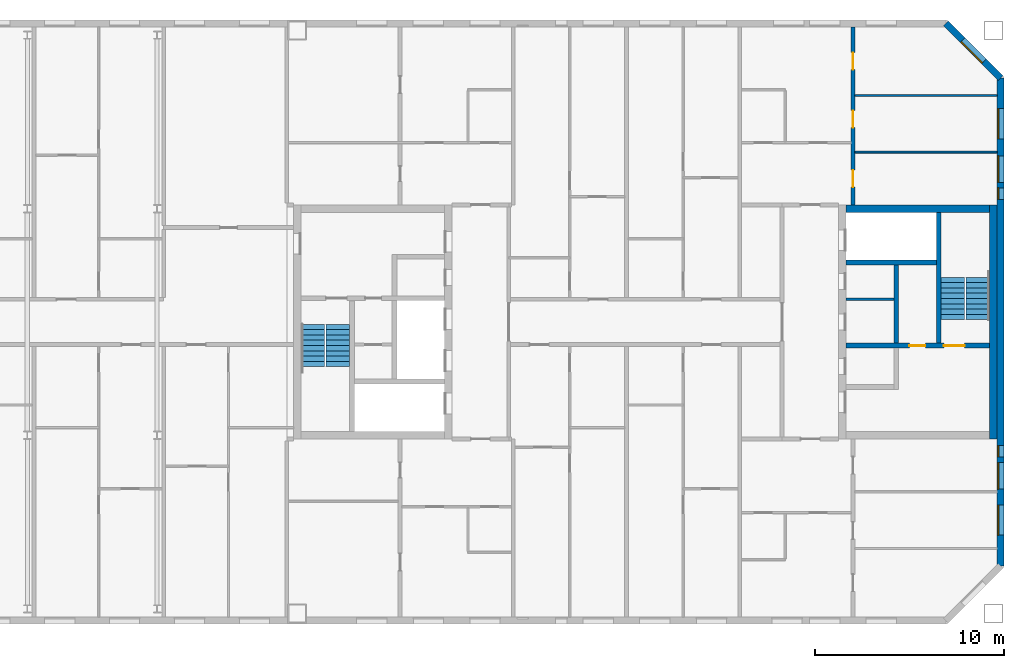
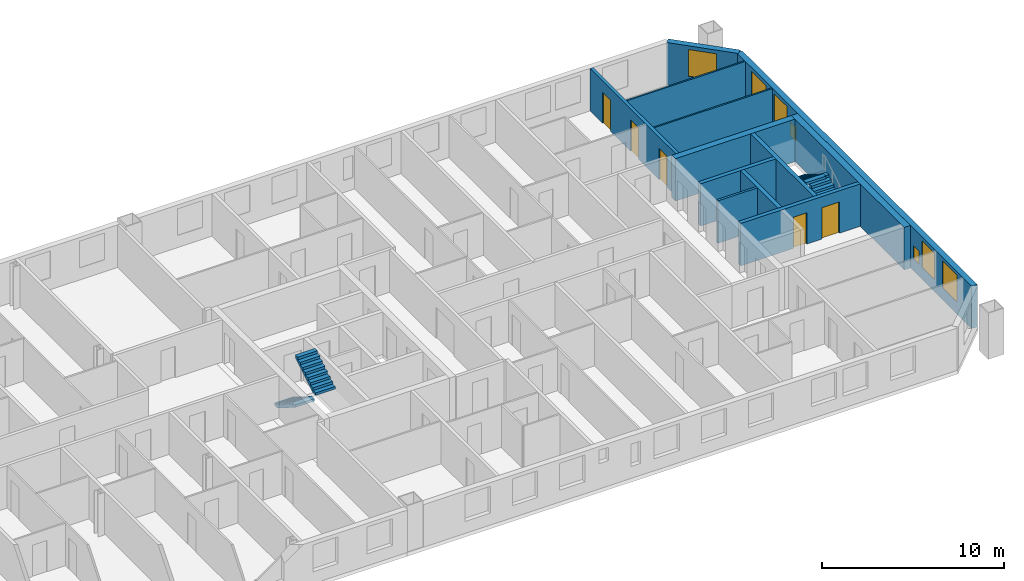
# One storey, part 17 of 19: 12 walls, 7 windows, 5 doors, 4 stair flights, 12 openings, 2 elements without a shape of their own.
"""IFC4 building model written with IfcOpenShell, lengths in metres."""

from ifc_helpers import new_model, si_unit, direction, frame, frame_2d, origin, place, context, subcontext, project, spatial, polyline, rectangle, outline, extrude, material, layer, layer_set, type_object, element, fill, aggregate, save


model = new_model("IFC4")

# Units and contexts
model_context = context("Model", 3, precision=1e-05, world=origin(), true_north=direction((0.0, 1.0)))
body_context = subcontext(model_context, "Body", "Model", "MODEL_VIEW")
ifc_project = project(units=[si_unit("LENGTHUNIT", "METRE"), si_unit("AREAUNIT", "SQUARE_METRE"), si_unit("VOLUMEUNIT", "CUBIC_METRE"), si_unit("PLANEANGLEUNIT", "RADIAN"), si_unit("MASSUNIT", "GRAM", prefix="KILO")], contexts=[model_context])

# Site, building, storey
site_placement = place(None, origin())
site = spatial("IfcSite", under=ifc_project, at=site_placement, CompositionType="ELEMENT")
building_placement = place(site_placement, origin())
building = spatial("IfcBuilding", under=site, at=building_placement, Name="Tuart Gate Housing", CompositionType="ELEMENT")
storey_placement = place(building_placement, frame((0.0, 0.0, 224.5)))
storey = spatial("IfcBuildingStorey", under=building, at=storey_placement, Name="L63", CompositionType="ELEMENT", Elevation=224.5)

# Wall, openings, windows
ifc_material_1 = material(Name="Brick", Category="masonry")
ifc_layer_1 = layer(ifc_material_1, 0.360107421875)
ifc_layer_set_1 = layer_set([ifc_layer_1], Name="Brick pier and spandrel wall 360")
wall_type_1 = type_object("IfcWallType", Name="Brick pier and spandrel wall 360", PredefinedType="STANDARD", material=ifc_layer_set_1)
wall_1_placement = place(storey_placement, frame((168.820068359375, 57.07470703125, 0.0), z_axis=(0.0, 0.0, 1.0), x_axis=(0.0, 1.0, 0.0)))
wall_1 = element("IfcWall", 1, at=wall_1_placement, inside=storey, type_object=wall_type_1, Name="External wall BLK-E L63", PredefinedType="STANDARD", context=body_context, shape_type="SweptSolid", body=[
    extrude(rectangle(XDim=25.850830078125, YDim=0.360107421875, at=frame_2d((12.92529296875, 0.0))), origin(), (0.0, 0.0, 1.0), 2.85009765625),
])
opening_1_placement = place(wall_1_placement, frame((1.62548828125, 0.0, 0.800048828125)))
opening_1 = element("IfcOpeningElement", 2, at=opening_1_placement, cuts=wall_1, Name="Opening W1", PredefinedType="OPENING", context=body_context, shape_type="SweptSolid", body=[
    extrude(rectangle(XDim=1.60009765625, YDim=1.800048828125, at=frame_2d((0.800048828125, 0.89990234375))), frame((0.0, 0.18994140625, 0.0), z_axis=(0.0, -1.0, 0.0), x_axis=(1.0, 0.0, 0.0)), (0.0, 0.0, 1.0), 0.380126953125),
])
opening_2_placement = place(wall_1_placement, frame((4.075439453125, 0.0, 0.800048828125)))
opening_2 = element("IfcOpeningElement", 3, at=opening_2_placement, cuts=wall_1, Name="Opening W1A", PredefinedType="OPENING", context=body_context, shape_type="SweptSolid", body=[
    extrude(rectangle(XDim=1.39990234375, YDim=1.800048828125, at=frame_2d((0.699951171875, 0.89990234375))), frame((0.0, 0.18994140625, 0.0), z_axis=(0.0, -1.0, 0.0), x_axis=(1.0, 0.0, 0.0)), (0.0, 0.0, 1.0), 0.380126953125),
])
opening_3_placement = place(wall_1_placement, frame((19.42529296875, 0.0, 0.800048828125)))
opening_3 = element("IfcOpeningElement", 4, at=opening_3_placement, cuts=wall_1, Name="Opening W1W", PredefinedType="OPENING", context=body_context, shape_type="SweptSolid", body=[
    extrude(rectangle(XDim=0.60009765625, YDim=0.89990234375, at=frame_2d((0.300048828125, 0.449951171875))), frame((0.0, 0.18994140625, 0.0), z_axis=(0.0, -1.0, 0.0), x_axis=(1.0, 0.0, 0.0)), (0.0, 0.0, 1.0), 0.380126953125),
])
opening_4_placement = place(wall_1_placement, frame((22.62548828125, 0.0, 0.800048828125)))
opening_4 = element("IfcOpeningElement", 5, at=opening_4_placement, cuts=wall_1, Name="Opening W1", PredefinedType="OPENING", context=body_context, shape_type="SweptSolid", body=[
    extrude(rectangle(XDim=1.60009765625, YDim=1.800048828125, at=frame_2d((0.800048828125, 0.89990234375))), frame((0.0, 0.18994140625, 0.0), z_axis=(0.0, -1.0, 0.0), x_axis=(1.0, 0.0, 0.0)), (0.0, 0.0, 1.0), 0.380126953125),
])
opening_5_placement = place(wall_1_placement, frame((5.775390625, 0.0, 0.800048828125)))
opening_5 = element("IfcOpeningElement", 6, at=opening_5_placement, cuts=wall_1, Name="Opening W1W", PredefinedType="OPENING", context=body_context, shape_type="SweptSolid", body=[
    extrude(rectangle(XDim=0.60009765625, YDim=0.89990234375, at=frame_2d((0.300048828125, 0.449951171875))), frame((0.0, 0.18994140625, 0.0), z_axis=(0.0, -1.0, 0.0), x_axis=(1.0, 0.0, 0.0)), (0.0, 0.0, 1.0), 0.380126953125),
])
opening_6_placement = place(wall_1_placement, frame((20.325439453125, 0.0, 0.800048828125)))
opening_6 = element("IfcOpeningElement", 7, at=opening_6_placement, cuts=wall_1, Name="Opening W1A", PredefinedType="OPENING", context=body_context, shape_type="SweptSolid", body=[
    extrude(rectangle(XDim=1.39990234375, YDim=1.800048828125, at=frame_2d((0.699951171875, 0.89990234375))), frame((0.0, 0.18994140625, 0.0), z_axis=(0.0, -1.0, 0.0), x_axis=(1.0, 0.0, 0.0)), (0.0, 0.0, 1.0), 0.380126953125),
])
ifc_material_2 = material(Name="Aluminium frame with clear glass", Category="aluminium")
window_type_1 = type_object("IfcWindowType", Name="Punched window 1400 x 1800", PartitioningType="SINGLE_PANEL", PredefinedType="WINDOW", material=ifc_material_2)
window_1_placement = place(opening_2_placement, origin())
window_1 = element("IfcWindow", 8, at=window_1_placement, inside=storey, type_object=window_type_1, Name="Window W1A", OverallHeight=1.800048828125, OverallWidth=1.39990234375, PartitioningType="SINGLE_PANEL", PredefinedType="WINDOW", context=body_context, shape_type="SweptSolid", body=[
    extrude(rectangle(XDim=1.39990234375, YDim=1.800048828125, at=frame_2d((0.699951171875, 0.89990234375))), frame((0.0, 0.150146484375, 0.0), z_axis=(0.0, -1.0, 0.0), x_axis=(1.0, 0.0, 0.0)), (0.0, 0.0, 1.0), 0.06005859375),
])
fill(opening_2, window_1)
window_2_placement = place(opening_6_placement, origin())
window_2 = element("IfcWindow", 9, at=window_2_placement, inside=storey, type_object=window_type_1, Name="Window W1A", OverallHeight=1.800048828125, OverallWidth=1.39990234375, PartitioningType="SINGLE_PANEL", PredefinedType="WINDOW", context=body_context, shape_type="SweptSolid", body=[
    extrude(rectangle(XDim=1.39990234375, YDim=1.800048828125, at=frame_2d((0.699951171875, 0.89990234375))), frame((0.0, 0.150146484375, 0.0), z_axis=(0.0, -1.0, 0.0), x_axis=(1.0, 0.0, 0.0)), (0.0, 0.0, 1.0), 0.06005859375),
])
fill(opening_6, window_2)
ifc_material_3 = material(Name="Aluminium frame with clear glass", Category="aluminium")
window_type_2 = type_object("IfcWindowType", Name="Punched window 1600 x 1800", PartitioningType="SINGLE_PANEL", PredefinedType="WINDOW", material=ifc_material_3)
window_3_placement = place(opening_1_placement, origin())
window_3 = element("IfcWindow", 10, at=window_3_placement, inside=storey, type_object=window_type_2, Name="Window W1", OverallHeight=1.800048828125, OverallWidth=1.60009765625, PartitioningType="SINGLE_PANEL", PredefinedType="WINDOW", context=body_context, shape_type="SweptSolid", body=[
    extrude(rectangle(XDim=1.60009765625, YDim=1.800048828125, at=frame_2d((0.800048828125, 0.89990234375))), frame((0.0, 0.150146484375, 0.0), z_axis=(0.0, -1.0, 0.0), x_axis=(1.0, 0.0, 0.0)), (0.0, 0.0, 1.0), 0.06005859375),
])
fill(opening_1, window_3)
window_4_placement = place(opening_4_placement, origin())
window_4 = element("IfcWindow", 11, at=window_4_placement, inside=storey, type_object=window_type_2, Name="Window W1", OverallHeight=1.800048828125, OverallWidth=1.60009765625, PartitioningType="SINGLE_PANEL", PredefinedType="WINDOW", context=body_context, shape_type="SweptSolid", body=[
    extrude(rectangle(XDim=1.60009765625, YDim=1.800048828125, at=frame_2d((0.800048828125, 0.89990234375))), frame((0.0, 0.150146484375, 0.0), z_axis=(0.0, -1.0, 0.0), x_axis=(1.0, 0.0, 0.0)), (0.0, 0.0, 1.0), 0.06005859375),
])
fill(opening_4, window_4)
ifc_material_4 = material(Name="Aluminium frame with clear glass", Category="aluminium")
window_type_3 = type_object("IfcWindowType", Name="Punched window 600 x 900", PartitioningType="SINGLE_PANEL", PredefinedType="WINDOW", material=ifc_material_4)
window_5_placement = place(opening_3_placement, origin())
window_5 = element("IfcWindow", 12, at=window_5_placement, inside=storey, type_object=window_type_3, Name="Window W1W", OverallHeight=0.89990234375, OverallWidth=0.60009765625, PartitioningType="SINGLE_PANEL", PredefinedType="WINDOW", context=body_context, shape_type="SweptSolid", body=[
    extrude(rectangle(XDim=0.60009765625, YDim=0.89990234375, at=frame_2d((0.300048828125, 0.449951171875))), frame((0.0, 0.150146484375, 0.0), z_axis=(0.0, -1.0, 0.0), x_axis=(1.0, 0.0, 0.0)), (0.0, 0.0, 1.0), 0.06005859375),
])
fill(opening_3, window_5)
window_6_placement = place(opening_5_placement, origin())
window_6 = element("IfcWindow", 13, at=window_6_placement, inside=storey, type_object=window_type_3, Name="Window W1W", OverallHeight=0.89990234375, OverallWidth=0.60009765625, PartitioningType="SINGLE_PANEL", PredefinedType="WINDOW", context=body_context, shape_type="SweptSolid", body=[
    extrude(rectangle(XDim=0.60009765625, YDim=0.89990234375, at=frame_2d((0.300048828125, 0.449951171875))), frame((0.0, 0.150146484375, 0.0), z_axis=(0.0, -1.0, 0.0), x_axis=(1.0, 0.0, 0.0)), (0.0, 0.0, 1.0), 0.06005859375),
])
fill(opening_5, window_6)

# Wall, opening, window
wall_2_placement = place(storey_placement, frame((168.820068359375, 82.92529296875, 0.0), z_axis=(0.0, 0.0, 1.0), x_axis=(-0.707106781187, 0.707106781187, 0.0)))
wall_2 = element("IfcWall", 14, at=wall_2_placement, inside=storey, type_object=wall_type_1, Name="External wall BLK-NE L63", PredefinedType="STANDARD", context=body_context, shape_type="SweptSolid", body=[
    extrude(rectangle(XDim=4.09375, YDim=0.360107421875, at=frame_2d((2.046875, 0.0))), origin(), (0.0, 0.0, 1.0), 2.85009765625),
])
opening_7_placement = place(wall_2_placement, frame((1.2470703125, 0.0, 0.800048828125)))
opening_7 = element("IfcOpeningElement", 15, at=opening_7_placement, cuts=wall_2, Name="Opening W1", PredefinedType="OPENING", context=body_context, shape_type="SweptSolid", body=[
    extrude(rectangle(XDim=1.60009765625, YDim=1.800048828125, at=frame_2d((0.800048828125, 0.89990234375))), frame((0.0, 0.18994140625, 0.0), z_axis=(0.0, -1.0, 0.0), x_axis=(1.0, 0.0, 0.0)), (0.0, 0.0, 1.0), 0.380126953125),
])
window_7_placement = place(opening_7_placement, origin())
window_7 = element("IfcWindow", 16, at=window_7_placement, inside=storey, type_object=window_type_2, Name="Window W1", OverallHeight=1.800048828125, OverallWidth=1.60009765625, PartitioningType="SINGLE_PANEL", PredefinedType="WINDOW", context=body_context, shape_type="SweptSolid", body=[
    extrude(rectangle(XDim=1.60009765625, YDim=1.800048828125, at=frame_2d((0.800048828125, 0.89990234375))), frame((0.0, 0.150146484375, 0.0), z_axis=(0.0, -1.0, 0.0), x_axis=(1.0, 0.0, 0.0)), (0.0, 0.0, 1.0), 0.06005859375),
])
fill(opening_7, window_7)

# Walls
ifc_material_5 = material(Name="Plasterboard partition")
ifc_layer_2 = layer(ifc_material_5, 0.14990234375)
ifc_layer_set_2 = layer_set([ifc_layer_2], Name="Core partition 150")
wall_type_2 = type_object("IfcWallType", Name="Core partition 150", PredefinedType="PARTITIONING", material=ifc_layer_set_2)
wall_3_placement = place(storey_placement, frame((160.639892578125, 71.199951171875, 0.0), z_axis=(0.0, 0.0, 1.0), x_axis=(1.0, 0.0, 0.0)))
element("IfcWall", 17, at=wall_3_placement, inside=storey, type_object=wall_type_2, Name="Core partition BK.2", PredefinedType="PARTITIONING", context=body_context, shape_type="SweptSolid", body=[
    extrude(rectangle(XDim=2.525146484375, YDim=0.14990234375, at=frame_2d((1.2626953125, 0.0))), origin(), (0.0, 0.0, 1.0), 2.85009765625),
])
ifc_material_6 = material(Name="Concrete C40", Category="concrete")
ifc_layer_3 = layer(ifc_material_6, 0.25)
ifc_layer_set_3 = layer_set([ifc_layer_3], Name="Core wall 250 C40")
wall_type_3 = type_object("IfcWallType", Name="Core wall 250 C40", PredefinedType="SHEAR", material=ifc_layer_set_3)
wall_4_placement = place(storey_placement, frame((160.639892578125, 73.14990234375, 0.0), z_axis=(0.0, 0.0, 1.0), x_axis=(1.0, 0.0, 0.0)))
element("IfcWall", 18, at=wall_4_placement, inside=storey, type_object=wall_type_3, Name="Core wall BK.1", PredefinedType="SHEAR", context=body_context, shape_type="SweptSolid", body=[
    extrude(rectangle(XDim=4.775146484375, YDim=0.25, at=frame_2d((2.3876953125, 0.0))), origin(), (0.0, 0.0, 1.0), 2.85009765625),
])

# Wall, openings, doors
wall_5_placement = place(storey_placement, frame((160.639892578125, 68.75, 0.0), z_axis=(0.0, 0.0, 1.0), x_axis=(1.0, 0.0, 0.0)))
wall_5 = element("IfcWall", 19, at=wall_5_placement, inside=storey, type_object=wall_type_3, Name="Core wall BK.3", PredefinedType="SHEAR", context=body_context, shape_type="SweptSolid", body=[
    extrude(rectangle(XDim=7.60009765625, YDim=0.25, at=frame_2d((3.800048828125, 0.0))), origin(), (0.0, 0.0, 1.0), 2.85009765625),
])
opening_8_placement = place(wall_5_placement, frame((5.175048828125, 0.0, 0.0)))
opening_8 = element("IfcOpeningElement", 20, at=opening_8_placement, cuts=wall_5, Name="Opening D2425", PredefinedType="OPENING", context=body_context, shape_type="SweptSolid", body=[
    extrude(rectangle(XDim=1.10009765625, YDim=2.10009765625, at=frame_2d((0.550048828125, 1.050048828125))), frame((0.0, 0.135009765625, 0.0), z_axis=(0.0, -1.0, 0.0), x_axis=(1.0, 0.0, 0.0)), (0.0, 0.0, 1.0), 0.27001953125),
])
opening_9_placement = place(wall_5_placement, frame((3.35009765625, 0.0, 0.0)))
opening_9 = element("IfcOpeningElement", 21, at=opening_9_placement, cuts=wall_5, Name="Opening D2424", PredefinedType="OPENING", context=body_context, shape_type="SweptSolid", body=[
    extrude(rectangle(XDim=0.85009765625, YDim=2.10009765625, at=frame_2d((0.425048828125, 1.050048828125))), frame((0.0, 0.135009765625, 0.0), z_axis=(0.0, -1.0, 0.0), x_axis=(1.0, 0.0, 0.0)), (0.0, 0.0, 1.0), 0.27001953125),
])
ifc_material_7 = material(Name="Steel fire door", Category="steel")
door_type_1 = type_object("IfcDoorType", Name="Riser door 850 x 2100", OperationType="SINGLE_SWING_LEFT", PredefinedType="DOOR", material=ifc_material_7)
door_1_placement = place(opening_9_placement, origin())
door_1 = element("IfcDoor", 22, at=door_1_placement, inside=storey, type_object=door_type_1, Name="Service room door BK.W1", OperationType="SINGLE_SWING_LEFT", OverallHeight=2.10009765625, OverallWidth=0.85009765625, PredefinedType="DOOR", context=body_context, shape_type="SweptSolid", body=[
    extrude(rectangle(XDim=0.85009765625, YDim=2.10009765625, at=frame_2d((0.425048828125, 1.050048828125))), frame((0.0, 0.02490234375, 0.0), z_axis=(0.0, -1.0, 0.0), x_axis=(1.0, 0.0, 0.0)), (0.0, 0.0, 1.0), 0.050048828125),
])
fill(opening_9, door_1)
ifc_material_8 = material(Name="Steel fire door", Category="steel")
door_type_2 = type_object("IfcDoorType", Name="Stair door 1100 x 2100", OperationType="SINGLE_SWING_LEFT", PredefinedType="DOOR", material=ifc_material_8)
door_2_placement = place(opening_8_placement, origin())
door_2 = element("IfcDoor", 23, at=door_2_placement, inside=storey, type_object=door_type_2, Name="Stair door BK.SD", OperationType="SINGLE_SWING_LEFT", OverallHeight=2.10009765625, OverallWidth=1.10009765625, PredefinedType="DOOR", context=body_context, shape_type="SweptSolid", body=[
    extrude(rectangle(XDim=1.10009765625, YDim=2.10009765625, at=frame_2d((0.550048828125, 1.050048828125))), frame((0.0, 0.02490234375, 0.0), z_axis=(0.0, -1.0, 0.0), x_axis=(1.0, 0.0, 0.0)), (0.0, 0.0, 1.0), 0.050048828125),
])
fill(opening_8, door_2)

# Walls
wall_6_placement = place(storey_placement, frame((163.2900390625, 73.02490234375, 0.0), z_axis=(0.0, 0.0, 1.0), x_axis=(0.0, -1.0, 0.0)))
element("IfcWall", 24, at=wall_6_placement, inside=storey, type_object=wall_type_3, Name="Core wall BK.5", PredefinedType="SHEAR", context=body_context, shape_type="SweptSolid", body=[
    extrude(rectangle(XDim=4.14990234375, YDim=0.25, at=frame_2d((2.074951171875, 0.0))), origin(), (0.0, 0.0, 1.0), 2.85009765625),
])
wall_7_placement = place(storey_placement, frame((165.5400390625, 75.800048828125, 0.0), z_axis=(0.0, 0.0, 1.0), x_axis=(0.0, -1.0, 0.0)))
element("IfcWall", 25, at=wall_7_placement, inside=storey, type_object=wall_type_3, Name="Core wall BK.7", PredefinedType="SHEAR", context=body_context, shape_type="SweptSolid", body=[
    extrude(rectangle(XDim=6.925048828125, YDim=0.25, at=frame_2d((3.46240234375, 0.0))), origin(), (0.0, 0.0, 1.0), 2.85009765625),
])
ifc_material_9 = material(Name="Concrete C40", Category="concrete")
ifc_layer_4 = layer(ifc_material_9, 0.39990234375)
ifc_layer_set_4 = layer_set([ifc_layer_4], Name="Core wall 400 C40")
wall_type_4 = type_object("IfcWallType", Name="Core wall 400 C40", PredefinedType="SHEAR", material=ifc_layer_set_4)
wall_8_placement = place(storey_placement, frame((168.43994140625, 76.199951171875, 0.0), z_axis=(0.0, 0.0, 1.0), x_axis=(0.0, -1.0, 0.0)))
element("IfcWall", 26, at=wall_8_placement, inside=storey, type_object=wall_type_4, Name="Core wall BK back", PredefinedType="SHEAR", context=body_context, shape_type="SweptSolid", body=[
    extrude(rectangle(XDim=12.39990234375, YDim=0.39990234375, at=frame_2d((6.199951171875, 0.0))), origin(), (0.0, 0.0, 1.0), 2.85009765625),
])
wall_9_placement = place(storey_placement, frame((160.639892578125, 76.0, 0.0), z_axis=(0.0, 0.0, 1.0), x_axis=(1.0, 0.0, 0.0)))
element("IfcWall", 27, at=wall_9_placement, inside=storey, type_object=wall_type_4, Name="Core wall BK south", PredefinedType="SHEAR", context=body_context, shape_type="SweptSolid", body=[
    extrude(rectangle(XDim=7.60009765625, YDim=0.39990234375, at=frame_2d((3.800048828125, 0.0))), origin(), (0.0, 0.0, 1.0), 2.85009765625),
])
ifc_material_10 = material(Name="Gypsum board on steel studs", Category="steel")
ifc_layer_5 = layer(ifc_material_10, 0.10009765625)
ifc_layer_set_5 = layer_set([ifc_layer_5], Name="Partition 100")
wall_type_5 = type_object("IfcWallType", Name="Partition 100", PredefinedType="PARTITIONING", material=ifc_layer_set_5)
for number, where, z_axis, x_axis, name in (
    (28, (161.10009765625, 79.0, 0.0), (0.0, 0.0, 1.0), (1.0, 0.0, 0.0), "Partition 100"),
    (29, (161.10009765625, 82.0, 0.0), (0.0, 0.0, 1.0), (1.0, 0.0, 0.0), "Partition 100"),
):
    element("IfcWall", number, at=place(storey_placement, frame(where, z_axis=z_axis, x_axis=x_axis)), inside=storey, type_object=wall_type_5, Name=name, PredefinedType="PARTITIONING", context=body_context, shape_type="SweptSolid", body=[
        extrude(rectangle(XDim=7.539794921875, YDim=0.10009765625, at=frame_2d((3.77001953125, 0.0))), origin(), (0.0, 0.0, 1.0), 2.85009765625),
    ])

# Wall, openings, doors
ifc_material_11 = material(Name="Concrete C40", Category="concrete")
ifc_layer_6 = layer(ifc_material_11, 0.199951171875)
ifc_layer_set_6 = layer_set([ifc_layer_6], Name="Party wall concrete C40 200")
wall_type_6 = type_object("IfcWallType", Name="Party wall concrete C40 200", PredefinedType="SOLIDWALL", material=ifc_layer_set_6)
wall_10_placement = place(storey_placement, frame((161.0, 76.199951171875, 0.0), z_axis=(0.0, 0.0, 1.0), x_axis=(0.0, 1.0, 0.0)))
wall_10 = element("IfcWall", 30, at=wall_10_placement, inside=storey, type_object=wall_type_6, Name="Party wall concrete C40 200", PredefinedType="SOLIDWALL", context=body_context, shape_type="SweptSolid", body=[
    extrude(rectangle(XDim=9.43994140625, YDim=0.199951171875, at=frame_2d((4.719970703125, 0.0))), origin(), (0.0, 0.0, 1.0), 2.85009765625),
])
opening_10_placement = place(wall_10_placement, frame((7.169921875, 0.0, 0.0)))
opening_10 = element("IfcOpeningElement", 31, at=opening_10_placement, cuts=wall_10, Name="Opening D2393", PredefinedType="OPENING", context=body_context, shape_type="SweptSolid", body=[
    extrude(rectangle(XDim=0.89990234375, YDim=2.10009765625, at=frame_2d((0.449951171875, 1.050048828125))), frame((0.0, 0.10986328125, 0.0), z_axis=(0.0, -1.0, 0.0), x_axis=(1.0, 0.0, 0.0)), (0.0, 0.0, 1.0), 0.219970703125),
])
opening_11_placement = place(wall_10_placement, frame((4.10009765625, 0.0, 0.0)))
opening_11 = element("IfcOpeningElement", 32, at=opening_11_placement, cuts=wall_10, Name="Opening D2394", PredefinedType="OPENING", context=body_context, shape_type="SweptSolid", body=[
    extrude(rectangle(XDim=0.89990234375, YDim=2.10009765625, at=frame_2d((0.449951171875, 1.050048828125))), frame((0.0, 0.10986328125, 0.0), z_axis=(0.0, -1.0, 0.0), x_axis=(1.0, 0.0, 0.0)), (0.0, 0.0, 1.0), 0.219970703125),
])
opening_12_placement = place(wall_10_placement, frame((0.949951171875, 0.0, 0.0)))
opening_12 = element("IfcOpeningElement", 33, at=opening_12_placement, cuts=wall_10, Name="Opening D2395", PredefinedType="OPENING", context=body_context, shape_type="SweptSolid", body=[
    extrude(rectangle(XDim=0.89990234375, YDim=2.10009765625, at=frame_2d((0.449951171875, 1.050048828125))), frame((0.0, 0.10986328125, 0.0), z_axis=(0.0, -1.0, 0.0), x_axis=(1.0, 0.0, 0.0)), (0.0, 0.0, 1.0), 0.219970703125),
])
ifc_material_12 = material(Name="Timber door leaf in steel frame", Category="steel")
door_type_3 = type_object("IfcDoorType", Name="Internal door 900", OperationType="SINGLE_SWING_LEFT", PredefinedType="DOOR", material=ifc_material_12)
door_3_placement = place(opening_11_placement, frame((0.89990234375, 0.0, 0.0), z_axis=(0.0, 0.0, 1.0), x_axis=(-1.0, 0.0, 0.0)))
door_3 = element("IfcDoor", 34, at=door_3_placement, inside=storey, type_object=door_type_3, Name="Internal door", OperationType="SINGLE_SWING_LEFT", OverallHeight=2.10009765625, OverallWidth=0.89990234375, PredefinedType="DOOR", context=body_context, shape_type="SweptSolid", body=[
    extrude(rectangle(XDim=0.89990234375, YDim=2.10009765625, at=frame_2d((0.449951171875, 1.050048828125))), frame((0.0, 0.025146484375, 0.0), z_axis=(0.0, -1.0, 0.0), x_axis=(1.0, 0.0, 0.0)), (0.0, 0.0, 1.0), 0.050048828125),
])
fill(opening_11, door_3)
ifc_material_13 = material(Name="Timber door leaf in steel frame", Category="steel")
door_type_4 = type_object("IfcDoorType", Name="Internal door 900 RH", OperationType="SINGLE_SWING_RIGHT", PredefinedType="DOOR", material=ifc_material_13)
door_4_placement = place(opening_10_placement, frame((0.89990234375, 0.0, 0.0), z_axis=(0.0, 0.0, 1.0), x_axis=(-1.0, 0.0, 0.0)))
door_4 = element("IfcDoor", 35, at=door_4_placement, inside=storey, type_object=door_type_4, Name="Internal door", OperationType="SINGLE_SWING_RIGHT", OverallHeight=2.10009765625, OverallWidth=0.89990234375, PredefinedType="DOOR", context=body_context, shape_type="SweptSolid", body=[
    extrude(rectangle(XDim=0.89990234375, YDim=2.10009765625, at=frame_2d((0.449951171875, 1.050048828125))), frame((0.0, 0.025146484375, 0.0), z_axis=(0.0, -1.0, 0.0), x_axis=(1.0, 0.0, 0.0)), (0.0, 0.0, 1.0), 0.050048828125),
])
fill(opening_10, door_4)
door_5_placement = place(opening_12_placement, frame((0.89990234375, 0.0, 0.0), z_axis=(0.0, 0.0, 1.0), x_axis=(-1.0, 0.0, 0.0)))
door_5 = element("IfcDoor", 36, at=door_5_placement, inside=storey, type_object=door_type_4, Name="Internal door", OperationType="SINGLE_SWING_RIGHT", OverallHeight=2.10009765625, OverallWidth=0.89990234375, PredefinedType="DOOR", context=body_context, shape_type="SweptSolid", body=[
    extrude(rectangle(XDim=0.89990234375, YDim=2.10009765625, at=frame_2d((0.449951171875, 1.050048828125))), frame((0.0, 0.025146484375, 0.0), z_axis=(0.0, -1.0, 0.0), x_axis=(1.0, 0.0, 0.0)), (0.0, 0.0, 1.0), 0.050048828125),
])
fill(opening_12, door_5)

# Stair, stair flights
ifc_material_14 = material(Name="Concrete C40", Category="concrete")
stair_type = type_object("IfcStairType", Name="Core stair 1250", PredefinedType="HALF_TURN_STAIR", material=ifc_material_14)
stair_1_placement = place(storey_placement, origin())
stair_1 = element("IfcStair", 37, at=stair_1_placement, inside=storey, type_object=stair_type, Name="Stair SB1", PredefinedType="HALF_TURN_STAIR")
ifc_material_15 = material(Name="Concrete C40", Category="concrete")
stair_flight_type = type_object("IfcStairFlightType", Name="Stair flight 1250, 9 risers 172 x 280", PredefinedType="STRAIGHT", material=ifc_material_15)
stair_flight_1_placement = place(storey_placement, frame((132.385009765625, 69.875, 0.0), z_axis=(0.0, 0.0, 1.0), x_axis=(0.0, -1.0, 0.0)))
stair_flight_1 = element("IfcStairFlight", 38, at=stair_flight_1_placement, type_object=stair_flight_type, Name="SB1 flight 1", NumberOfRisers=9, NumberOfTreads=8, PredefinedType="STRAIGHT", RiserHeight=0.172222222, TreadLength=0.28, context=body_context, shape_type="SweptSolid", body=[
    extrude(outline(polyline([(0.0, 0.0), (0.0, 0.172119140625), (0.280029296875, 0.172119140625), (0.280029296875, 0.344482421875), (0.56005859375, 0.344482421875), (0.56005859375, 0.5166015625), (0.840087890625, 0.5166015625), (0.840087890625, 0.68896484375), (1.1201171875, 0.68896484375), (1.1201171875, 0.861083984375), (1.39990234375, 0.861083984375), (1.39990234375, 1.033447265625), (1.679931640625, 1.033447265625), (1.679931640625, 1.20556640625), (1.9599609375, 1.20556640625), (1.9599609375, 1.377685546875), (2.239990234375, 1.377685546875), (2.239990234375, 1.550048828125), (2.239990234375, 1.201904296875), (0.2861328125, 0.0), (0.0, 0.0)])), frame((0.0, 0.625, 0.0), z_axis=(0.0, -1.0, 0.0), x_axis=(1.0, 0.0, 0.0)), (0.0, 0.0, 1.0), 1.25),
])
stair_flight_2_placement = place(storey_placement, frame((133.7099609375, 67.635009765625, 1.550048828125), z_axis=(0.0, 0.0, 1.0), x_axis=(0.0, 1.0, 0.0)))
stair_flight_2 = element("IfcStairFlight", 39, at=stair_flight_2_placement, type_object=stair_flight_type, Name="SB1 flight 2", NumberOfRisers=9, NumberOfTreads=8, PredefinedType="STRAIGHT", RiserHeight=0.172222222, TreadLength=0.28, context=body_context, shape_type="SweptSolid", body=[
    extrude(outline(polyline([(0.0, 0.0), (0.0, 0.172119140625), (0.280029296875, 0.172119140625), (0.280029296875, 0.344482421875), (0.56005859375, 0.344482421875), (0.56005859375, 0.5166015625), (0.840087890625, 0.5166015625), (0.840087890625, 0.68896484375), (1.1201171875, 0.68896484375), (1.1201171875, 0.861083984375), (1.39990234375, 0.861083984375), (1.39990234375, 1.033447265625), (1.679931640625, 1.033447265625), (1.679931640625, 1.20556640625), (1.9599609375, 1.20556640625), (1.9599609375, 1.377685546875), (2.239990234375, 1.377685546875), (2.239990234375, 1.550048828125), (2.239990234375, 1.201904296875), (0.2861328125, 0.0), (0.0, 0.0)])), frame((0.0, 0.625, 0.0), z_axis=(0.0, -1.0, 0.0), x_axis=(1.0, 0.0, 0.0)), (0.0, 0.0, 1.0), 1.25),
])
aggregate(stair_1, [stair_flight_1, stair_flight_2])

stair_2_placement = place(storey_placement, origin())
stair_2 = element("IfcStair", 40, at=stair_2_placement, inside=storey, type_object=stair_type, Name="Stair SB2", PredefinedType="HALF_TURN_STAIR")
stair_flight_3_placement = place(storey_placement, frame((167.614990234375, 70.125, 0.0), z_axis=(0.0, 0.0, 1.0), x_axis=(0.0, 1.0, 0.0)))
stair_flight_3 = element("IfcStairFlight", 41, at=stair_flight_3_placement, type_object=stair_flight_type, Name="SB2 flight 1", NumberOfRisers=9, NumberOfTreads=8, PredefinedType="STRAIGHT", RiserHeight=0.172222222, TreadLength=0.28, context=body_context, shape_type="SweptSolid", body=[
    extrude(outline(polyline([(0.0, 0.0), (0.0, 0.172119140625), (0.280029296875, 0.172119140625), (0.280029296875, 0.344482421875), (0.56005859375, 0.344482421875), (0.56005859375, 0.5166015625), (0.840087890625, 0.5166015625), (0.840087890625, 0.68896484375), (1.1201171875, 0.68896484375), (1.1201171875, 0.861083984375), (1.39990234375, 0.861083984375), (1.39990234375, 1.033447265625), (1.679931640625, 1.033447265625), (1.679931640625, 1.20556640625), (1.9599609375, 1.20556640625), (1.9599609375, 1.377685546875), (2.239990234375, 1.377685546875), (2.239990234375, 1.550048828125), (2.239990234375, 1.201904296875), (0.2861328125, 0.0), (0.0, 0.0)])), frame((0.0, 0.625, 0.0), z_axis=(0.0, -1.0, 0.0), x_axis=(1.0, 0.0, 0.0)), (0.0, 0.0, 1.0), 1.25),
])
stair_flight_4_placement = place(storey_placement, frame((166.2900390625, 72.364990234375, 1.550048828125), z_axis=(0.0, 0.0, 1.0), x_axis=(0.0, -1.0, 0.0)))
stair_flight_4 = element("IfcStairFlight", 42, at=stair_flight_4_placement, type_object=stair_flight_type, Name="SB2 flight 2", NumberOfRisers=9, NumberOfTreads=8, PredefinedType="STRAIGHT", RiserHeight=0.172222222, TreadLength=0.28, context=body_context, shape_type="SweptSolid", body=[
    extrude(outline(polyline([(0.0, 0.0), (0.0, 0.172119140625), (0.280029296875, 0.172119140625), (0.280029296875, 0.344482421875), (0.56005859375, 0.344482421875), (0.56005859375, 0.5166015625), (0.840087890625, 0.5166015625), (0.840087890625, 0.68896484375), (1.1201171875, 0.68896484375), (1.1201171875, 0.861083984375), (1.39990234375, 0.861083984375), (1.39990234375, 1.033447265625), (1.679931640625, 1.033447265625), (1.679931640625, 1.20556640625), (1.9599609375, 1.20556640625), (1.9599609375, 1.377685546875), (2.239990234375, 1.377685546875), (2.239990234375, 1.550048828125), (2.239990234375, 1.201904296875), (0.2861328125, 0.0), (0.0, 0.0)])), frame((0.0, 0.625, 0.0), z_axis=(0.0, -1.0, 0.0), x_axis=(1.0, 0.0, 0.0)), (0.0, 0.0, 1.0), 1.25),
])
aggregate(stair_2, [stair_flight_3, stair_flight_4])

save(model, "model.ifc")
